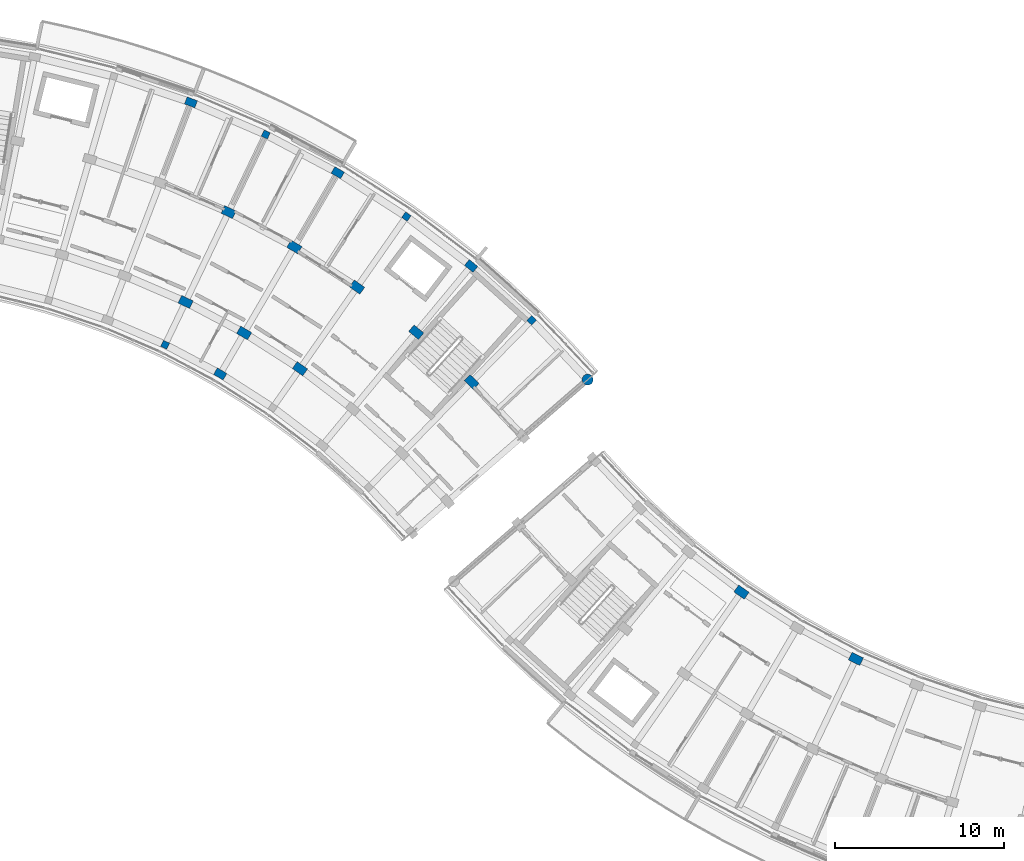
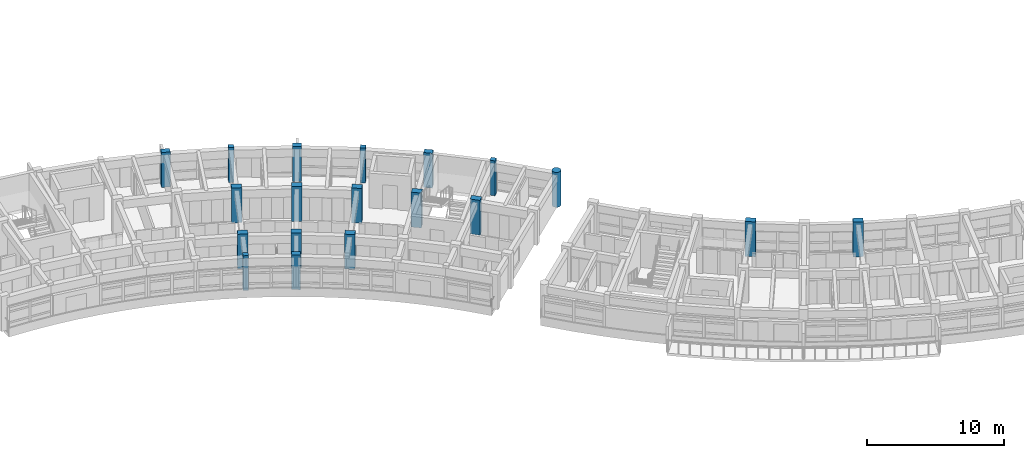
# One storey, part 3 of 50: 19 columns.
"""IFC4 building model written with IfcOpenShell, lengths in metres."""

from ifc_helpers import new_model, si_unit, direction, frame, origin, origin_2d, place, context, subcontext, project, spatial, rectangle, circle, extrude, material, material_profile, profile_set, type_object, element, save


model = new_model("IFC4")

# Units and contexts
model_context = context("Model", 3, precision=1e-05, world=origin(), true_north=direction((0.0, 1.0)))
body_context = subcontext(model_context, "Body", "Model", "MODEL_VIEW")
ifc_project = project(units=[si_unit("LENGTHUNIT", "METRE"), si_unit("AREAUNIT", "SQUARE_METRE"), si_unit("VOLUMEUNIT", "CUBIC_METRE"), si_unit("PLANEANGLEUNIT", "RADIAN"), si_unit("MASSUNIT", "GRAM", prefix="KILO")], contexts=[model_context])

# Site, building, storey
site_placement = place(None, origin())
site = spatial("IfcSite", under=ifc_project, at=site_placement, CompositionType="ELEMENT")
building_placement = place(site_placement, origin())
building = spatial("IfcBuilding", under=site, at=building_placement, Name="Zimvara Arc Housing Community", CompositionType="ELEMENT")
storey_placement = place(building_placement, frame((0.0, 0.0, 26.699951171875)))
storey = spatial("IfcBuildingStorey", under=building, at=storey_placement, Name="L08", CompositionType="ELEMENT", Elevation=26.699951171875)

# Columns
ifc_material_1 = material(Name="Concrete C40/50", Category="concrete")
ifc_material_profile_1 = material_profile(ifc_material_1, rectangle(XDim=0.39990234375, YDim=0.39990234375, at=origin_2d()), Name="RC 400x400")
ifc_profile_set_1 = profile_set([ifc_material_profile_1], Name="Concrete C40/50")
column_type_1 = type_object("IfcColumnType", Name="COL-RC-400x400", PredefinedType="COLUMN", material=ifc_profile_set_1)
for number, where, z_axis, x_axis, name in (
    (1, (64.49560546875, 85.190673828125, 0.0), (0.0, 0.0, 1.0), (0.432085748802, 0.901832526405, 0.0), "col:blkB:L08:b5:r0"),
    (2, (70.441162109375, 97.599853515625, 0.0), (0.0, 0.0, 1.0), (0.432085748802, 0.901832526405, 0.0), "col:blkB:L08:b5:r3"),
    (3, (78.738525390625, 92.755126953125, 0.0), (0.0, 0.0, 1.0), (0.573004420611, 0.819552276527, 0.0), "col:blkB:L08:b7:r3"),
    (4, (86.137451171875, 86.625732421875, 0.0), (0.0, 0.0, 1.0), (0.698665066769, 0.715448897181, 0.0), "col:blkB:L08:b9:r3"),
):
    element("IfcColumn", number, at=place(storey_placement, frame(where, z_axis=z_axis, x_axis=x_axis)), inside=storey, type_object=column_type_1, Name=name, PredefinedType="COLUMN", context=body_context, shape_type="SweptSolid", body=[
        extrude(rectangle(XDim=0.39990234375, YDim=0.39990234375, at=origin_2d()), origin(), (0.0, 0.0, 1.0), 3.10009765625),
    ])
ifc_material_2 = material(Name="Concrete C40/50", Category="concrete")
ifc_material_profile_2 = material_profile(ifc_material_2, rectangle(XDim=0.449951171875, YDim=0.64990234375, at=origin_2d()), Name="RC 450x650")
ifc_profile_set_2 = profile_set([ifc_material_profile_2], Name="Concrete C40/50")
column_type_2 = type_object("IfcColumnType", Name="COL-RC-450x650", PredefinedType="COLUMN", material=ifc_profile_set_2)
for number, where, z_axis, x_axis, name in (
    (5, (66.02392578125, 99.49853515625, 0.0), (0.0, 0.0, 1.0), (0.357064076459, 0.934079892355, 0.0), "col:blkB:L08:b4:r3"),
    (6, (67.750732421875, 83.46435546875, 0.0), (0.0, 0.0, 1.0), (0.504226211181, 0.863571611366, 0.0), "col:blkB:L08:b6:r0"),
    (7, (74.688720703125, 95.34716796875, 0.0), (0.0, 0.0, 1.0), (0.504226211181, 0.863571611366, 0.0), "col:blkB:L08:b6:r3"),
    (8, (82.563232421875, 89.841552734375, 0.0), (0.0, 0.0, 1.0), (0.637961754089, 0.770068049148, 0.0), "col:blkB:L08:b8:r3"),
):
    element("IfcColumn", number, at=place(storey_placement, frame(where, z_axis=z_axis, x_axis=x_axis)), inside=storey, type_object=column_type_2, Name=name, PredefinedType="COLUMN", context=body_context, shape_type="SweptSolid", body=[
        extrude(rectangle(XDim=0.449951171875, YDim=0.64990234375, at=origin_2d()), origin(), (0.0, 0.0, 1.0), 3.10009765625),
    ])
ifc_material_3 = material(Name="Concrete C40/50", Category="concrete")
ifc_material_profile_3 = material_profile(ifc_material_3, rectangle(XDim=0.5, YDim=0.75, at=origin_2d()), Name="RC 500x750")
ifc_profile_set_3 = profile_set([ifc_material_profile_3], Name="Concrete C40/50")
column_type_3 = type_object("IfcColumnType", Name="COL-RC-500x750", PredefinedType="COLUMN", material=ifc_profile_set_3)
for number, where, z_axis, x_axis, name in (
    (9, (65.70556640625, 87.7158203125, 0.0), (0.0, 0.0, 1.0), (0.432085748802, 0.901832526405, 0.0), "col:blkB:L08:b5:r1"),
    (10, (68.24609375, 93.0185546875, 0.0), (0.0, 0.0, 1.0), (0.432085748802, 0.901832526405, 0.0), "col:blkB:L08:b5:r2"),
    (11, (69.16259765625, 85.88232421875, 0.0), (0.0, 0.0, 1.0), (0.504226211181, 0.863571611366, 0.0), "col:blkB:L08:b6:r1"),
    (12, (72.12744140625, 90.960205078125, 0.0), (0.0, 0.0, 1.0), (0.504226211181, 0.863571611366, 0.0), "col:blkB:L08:b6:r2"),
    (13, (72.458251953125, 83.77294921875, 0.0), (0.0, 0.0, 1.0), (0.573004420611, 0.819552276527, 0.0), "col:blkB:L08:b7:r1"),
    (14, (75.82763671875, 88.591796875, 0.0), (0.0, 0.0, 1.0), (0.573004420611, 0.819552276527, 0.0), "col:blkB:L08:b7:r2"),
    (15, (79.322265625, 85.9296875, 0.0), (0.0, 0.0, 1.0), (0.637961754089, 0.770068049148, 0.0), "col:blkB:L08:b8:r2"),
    (16, (82.588134765625, 82.9912109375, 0.0), (0.0, 0.0, 1.0), (0.698665066769, 0.715448897181, 0.0), "col:blkB:L08:b9:r2"),
    (17, (98.521728515625, 70.587158203125, 0.0), (0.0, 0.0, 1.0), (-0.573004420611, -0.819552276527, 0.0), "col:blkC:L08:b3:r1"),
    (18, (105.2744140625, 66.644287109375, 0.0), (0.0, 0.0, 1.0), (-0.432085748802, -0.901832526405, 0.0), "col:blkC:L08:b5:r1"),
):
    element("IfcColumn", number, at=place(storey_placement, frame(where, z_axis=z_axis, x_axis=x_axis)), inside=storey, type_object=column_type_3, Name=name, PredefinedType="COLUMN", context=body_context, shape_type="SweptSolid", body=[
        extrude(rectangle(XDim=0.5, YDim=0.75, at=origin_2d()), origin(), (0.0, 0.0, 1.0), 3.10009765625),
    ])
ifc_material_4 = material(Name="Concrete C40/50", Category="concrete")
ifc_material_profile_4 = material_profile(ifc_material_4, circle(Radius=0.324951171875, at=origin_2d()), Name="RC D650")
ifc_profile_set_4 = profile_set([ifc_material_profile_4], Name="Concrete C40/50")
column_type_4 = type_object("IfcColumnType", Name="COL-RC-D600", PredefinedType="COLUMN", material=ifc_profile_set_4)
column_placement = place(storey_placement, frame((89.437255859375, 83.128662109375, 0.0), z_axis=(0.0, 0.0, 1.0), x_axis=(0.754709580223, 0.656059028991, 0.0)))
element("IfcColumn", 19, at=column_placement, inside=storey, type_object=column_type_4, Name="col:blkB:L08:b10:r3", PredefinedType="COLUMN", context=body_context, shape_type="SweptSolid", body=[
    extrude(circle(Radius=0.324951171875, at=origin_2d()), origin(), (0.0, 0.0, 1.0), 3.10009765625),
])

save(model, "model.ifc")
